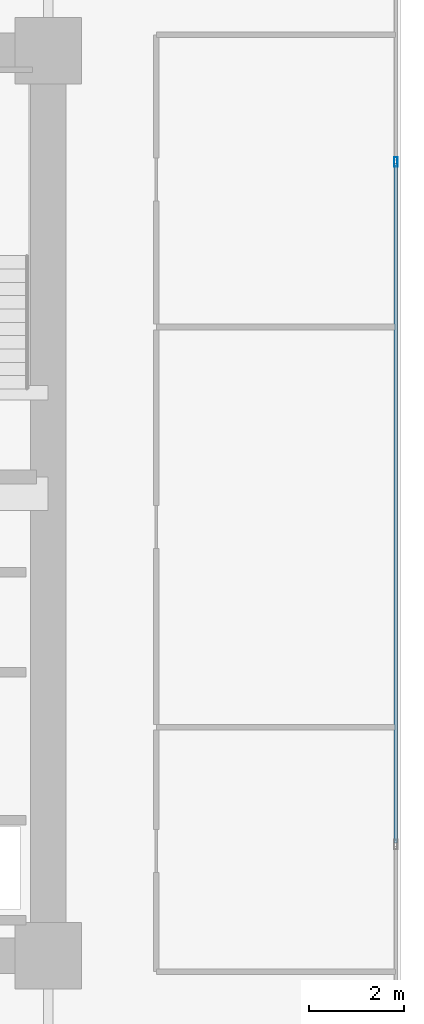
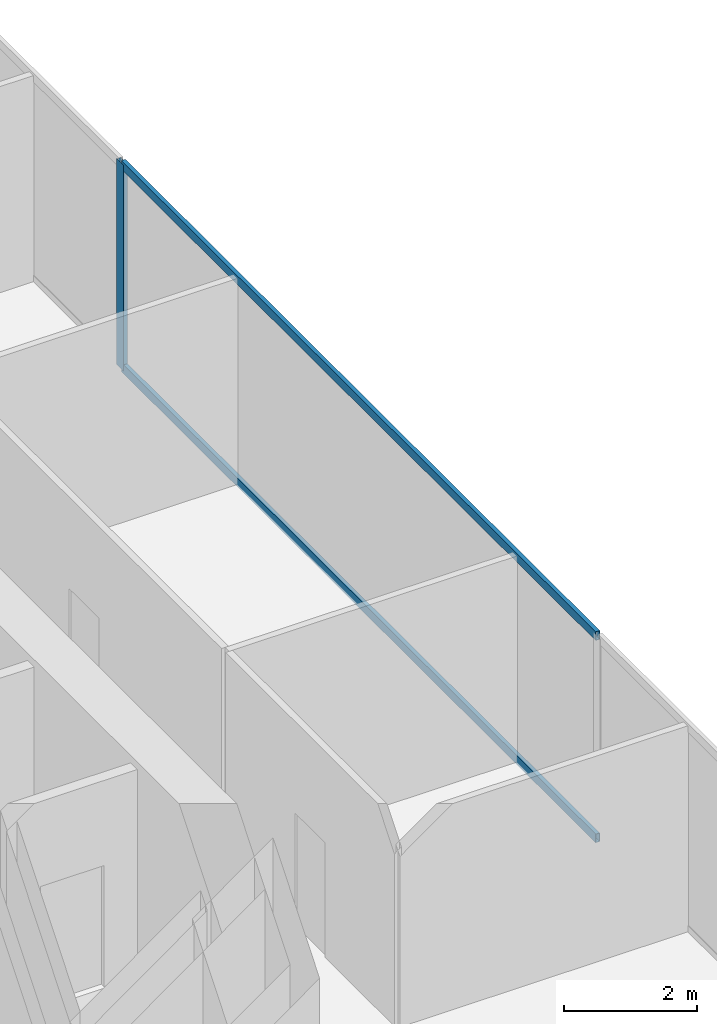
# One storey, part 25 of 35: 3 members, 1 element without a shape of its own.
"""IFC4 building model written with IfcOpenShell, lengths in metres."""

import ifcopenshell
import ifcopenshell.guid

model = None  # the IFC model being written
_history = None  # IfcOwnerHistory: only IFC2X3 demands one
_inside = {}  # id of a spatial element -> (the spatial element, [elements in it])
_under = {}  # id of a project, library or spatial element -> (it, [spatial elements below it])
_declared = {}  # id of a project -> (the project, [libraries it declares])
_typed = {}  # id of a type object -> (the type object, [elements of that type])
_made_of = {}  # id of a material, layer set ... -> (it, [elements and type objects made of it])


def new_model(schema):
    """Start an empty IFC model of exactly this schema.

    Asked for "IFC4X3", IfcOpenShell would pick the latest addendum, in which some entities
    have other attributes; the version numbers below select the first issue.
    IFC2X3 requires an IfcOwnerHistory on every rooted entity: one is made here for all.
    """
    global model, _history
    if schema == "IFC4X3":
        model = ifcopenshell.file(schema_version=(4, 3, 0, 0))
    else:
        model = ifcopenshell.file(schema=schema)
    _inside.clear()
    _under.clear()
    _declared.clear()
    _typed.clear()
    _made_of.clear()
    _history = None
    if model.schema == "IFC2X3":
        org = make("IfcOrganization", Name="unknown")
        user = make(
            "IfcPersonAndOrganization",
            ThePerson=make("IfcPerson", FamilyName="unknown"),
            TheOrganization=org,
        )
        app = make(
            "IfcApplication",
            ApplicationDeveloper=org,
            Version="unknown",
            ApplicationFullName="unknown",
            ApplicationIdentifier="unknown",
        )
        _history = make(
            "IfcOwnerHistory",
            OwningUser=user,
            OwningApplication=app,
            ChangeAction="ADDED",
            CreationDate=0,
        )
    return model


def make(cls, **values):
    """One entity of the class cls with the attributes given. An attribute that is None is left unset."""
    return model.create_entity(
        cls, **{name: value for name, value in values.items() if value is not None}
    )


def rooted(cls, **values):
    """An entity with a GlobalId (a new one), such as an element, a storey or a relation."""
    return make(cls, GlobalId=ifcopenshell.guid.new(), OwnerHistory=_history, **values)


def si_unit(unit_type, name, prefix=None):
    """IfcSIUnit, for example si_unit("LENGTHUNIT", "METRE", prefix="MILLI")."""
    return make("IfcSIUnit", UnitType=unit_type, Prefix=prefix, Name=name)


def assignment(units):
    """IfcUnitAssignment: the units of a project."""
    return None if units is None else make("IfcUnitAssignment", Units=units)


def point(xyz):
    """IfcCartesianPoint."""
    return None if xyz is None else make("IfcCartesianPoint", Coordinates=xyz)


def direction(xyz):
    """IfcDirection."""
    return None if xyz is None else make("IfcDirection", DirectionRatios=xyz)


def frame(location, z_axis=None, x_axis=None):
    """IfcAxis2Placement3D, a coordinate frame: its origin and axes. An axis left out is left unset."""
    return make(
        "IfcAxis2Placement3D",
        Location=point(location),
        Axis=direction(z_axis),
        RefDirection=direction(x_axis),
    )


def frame_2d(location, x_axis=None):
    """IfcAxis2Placement2D, a coordinate frame in the plane: its origin and x axis."""
    return make(
        "IfcAxis2Placement2D", Location=point(location), RefDirection=direction(x_axis)
    )


def origin():
    """The frame at (0, 0, 0) with its axes left unset."""
    return frame((0.0, 0.0, 0.0))


def origin_2d():
    """The frame at (0, 0) in the plane with its x axis left unset."""
    return frame_2d((0.0, 0.0))


def place(relative_to, where):
    """IfcLocalPlacement: puts the frame where relative to a parent placement (None: the world)."""
    return make(
        "IfcLocalPlacement", PlacementRelTo=relative_to, RelativePlacement=where
    )


def context(
    kind, dimensions, precision=None, world=None, true_north=None, identifier=None
):
    """IfcGeometricRepresentationContext, for example the 3D "Model" context."""
    return make(
        "IfcGeometricRepresentationContext",
        ContextIdentifier=identifier,
        ContextType=kind,
        CoordinateSpaceDimension=dimensions,
        Precision=precision,
        WorldCoordinateSystem=world,
        TrueNorth=true_north,
    )


def subcontext(parent, identifier, kind, view, scale=None):
    """IfcGeometricRepresentationSubContext, for example "Body" below "Model"."""
    return make(
        "IfcGeometricRepresentationSubContext",
        ContextIdentifier=identifier,
        ContextType=kind,
        ParentContext=parent,
        TargetScale=scale,
        TargetView=view,
    )


def project(units=None, contexts=None):
    """IfcProject with its units and contexts."""
    return rooted(
        "IfcProject",
        Name="project",
        RepresentationContexts=contexts,
        UnitsInContext=assignment(units),
    )


def spatial(cls, under=None, at=None, **own):
    """A site, building, storey or space (cls), placed at a placement, below another one or the project."""
    s = rooted(cls, ObjectPlacement=at, **own)
    if under is not None:
        _under.setdefault(under.id(), (under, []))[1].append(s)
    return s


def profile(cls, at=None, kind="AREA", **sizes):
    """A parametric profile (cls). Its sizes go by their IFC names, for example OverallWidth=200.0."""
    return make(cls, ProfileType=kind, Position=at, **sizes)


def hollow_rectangle(**sizes):
    """IfcRectangleHollowProfileDef."""
    return profile("IfcRectangleHollowProfileDef", **sizes)


def extrude(swept, where, along, depth):
    """IfcExtrudedAreaSolid: the profile swept, set in the frame where, extruded along a direction by depth."""
    return make(
        "IfcExtrudedAreaSolid",
        SweptArea=swept,
        Position=where,
        ExtrudedDirection=direction(along),
        Depth=depth,
    )


def shape(context_of_items, identifier, shape_type, items):
    """IfcShapeRepresentation: the items that make up one representation, for example the "Body"."""
    return make(
        "IfcShapeRepresentation",
        ContextOfItems=context_of_items,
        RepresentationIdentifier=identifier,
        RepresentationType=shape_type,
        Items=items,
    )


def source(mapping_origin, context_of_items, identifier, shape_type, items):
    """IfcRepresentationMap: a shape defined once, which mapped items show again and again."""
    return make(
        "IfcRepresentationMap",
        MappingOrigin=mapping_origin,
        MappedRepresentation=shape(context_of_items, identifier, shape_type, items),
    )


def transform(
    local_origin,
    x_axis=None,
    y_axis=None,
    z_axis=None,
    scale=None,
    scale2=None,
    scale3=None,
    uniform=True,
):
    """IfcCartesianTransformationOperator3D, or its non-uniform kind. x_axis, y_axis, z_axis: its Axis1, 2, 3."""
    if uniform:
        return make(
            "IfcCartesianTransformationOperator3D",
            Axis1=direction(x_axis),
            Axis2=direction(y_axis),
            LocalOrigin=point(local_origin),
            Scale=scale,
            Axis3=direction(z_axis),
        )
    return make(
        "IfcCartesianTransformationOperator3DnonUniform",
        Axis1=direction(x_axis),
        Axis2=direction(y_axis),
        LocalOrigin=point(local_origin),
        Scale=scale,
        Axis3=direction(z_axis),
        Scale2=scale2,
        Scale3=scale3,
    )


def mapped(mapping_source, mapping_target):
    """IfcMappedItem: shows the shape of a source again, moved by a transform."""
    return make(
        "IfcMappedItem", MappingSource=mapping_source, MappingTarget=mapping_target
    )


def material(Name=None, Category=None):
    """IfcMaterial."""
    return make("IfcMaterial", Name=Name, Category=Category)


def layer(
    of_material, thickness, ventilated=None, Name=None, Category=None, Priority=None
):
    """IfcMaterialLayer: one layer of a wall or slab, of a material (None: an air gap)."""
    return make(
        "IfcMaterialLayer",
        Material=of_material,
        LayerThickness=thickness,
        IsVentilated=ventilated,
        Name=Name,
        Category=Category,
        Priority=Priority,
    )


def layer_set(layers, Name=None):
    """IfcMaterialLayerSet."""
    return make("IfcMaterialLayerSet", MaterialLayers=layers, LayerSetName=Name)


def material_profile(
    of_material, cross_section, Name=None, Category=None, Priority=None
):
    """IfcMaterialProfile: a cross section and its material."""
    return make(
        "IfcMaterialProfile",
        Name=Name,
        Material=of_material,
        Profile=cross_section,
        Priority=Priority,
        Category=Category,
    )


def profile_set(profiles, Name=None, composite=None):
    """IfcMaterialProfileSet."""
    return make(
        "IfcMaterialProfileSet",
        Name=Name,
        MaterialProfiles=profiles,
        CompositeProfile=composite,
    )


def made_of(thing, what):
    """Note that an element or type object is made of a material, layer set ...; save() writes the relation."""
    if what is not None:
        _made_of.setdefault(what.id(), (what, []))[1].append(thing)
    return thing


def type_object(cls, material=None, **own):
    """A type object (cls), such as IfcWallType, which elements share."""
    return made_of(rooted(cls, **own), material)


def type_shapes(of_type, sources):
    """Give a type object the sources (RepresentationMaps) that its elements show as mapped items."""
    of_type.RepresentationMaps = sources


def element(
    cls,
    number,
    at=None,
    inside=None,
    cuts=None,
    type_object=None,
    material=None,
    context=None,
    identifier="Body",
    shape_type=None,
    held_by="IfcProductDefinitionShape",
    body=None,
    shapes=None,
    **own,
):
    """One element of the class cls, such as IfcWall. Its Tag is "e" and its number.

    at: its placement. inside: the storey or other place that contains it. cuts: it is an
    opening in that element (IfcRelVoidsElement). A single representation is given by context,
    identifier, shape_type and body (its items); several are given by shapes. held_by: the class
    of the entity that holds the representations. save() writes the other relations.
    """
    e = rooted(cls, Tag="e%d" % number, ObjectPlacement=at, **own)
    if body is not None:
        shapes = [shape(context, identifier, shape_type, body)]
    if shapes is not None:
        e.Representation = make(held_by, Representations=shapes)
    if inside is not None:
        _inside.setdefault(inside.id(), (inside, []))[1].append(e)
    if cuts is not None:
        rooted(
            "IfcRelVoidsElement", RelatingBuildingElement=cuts, RelatedOpeningElement=e
        )
    if type_object is not None:
        _typed.setdefault(type_object.id(), (type_object, []))[1].append(e)
    return made_of(e, material)


def aggregate(whole, parts):
    """IfcRelAggregates: a whole, such as a stair, and the parts it consists of."""
    return rooted("IfcRelAggregates", RelatingObject=whole, RelatedObjects=parts)


def save(model, path):
    """Write the relations noted so far, then the file.

    IfcRelAggregates (storeys below a building ...), IfcRelContainedInSpatialStructure (elements
    in a storey), IfcRelDefinesByType, IfcRelAssociatesMaterial and IfcRelDeclares: one each for
    every whole, place, type object, material and project.
    """
    for whole, parts in _under.values():
        aggregate(whole, parts)
    for where, things in _inside.values():
        rooted(
            "IfcRelContainedInSpatialStructure",
            RelatedElements=things,
            RelatingStructure=where,
        )
    for kind, things in _typed.values():
        rooted("IfcRelDefinesByType", RelatedObjects=things, RelatingType=kind)
    for what, things in _made_of.values():
        rooted("IfcRelAssociatesMaterial", RelatedObjects=things, RelatingMaterial=what)
    for by, libraries in _declared.values():
        rooted("IfcRelDeclares", RelatingContext=by, RelatedDefinitions=libraries)
    model.write(path)


model = new_model("IFC4")

# Units and contexts
model_context = context("Model", 3, precision=1e-05, world=origin(), true_north=direction((0.0, 1.0)))
body_context = subcontext(model_context, "Body", "Model", "MODEL_VIEW")
ifc_project = project(units=[si_unit("LENGTHUNIT", "METRE"), si_unit("AREAUNIT", "SQUARE_METRE"), si_unit("VOLUMEUNIT", "CUBIC_METRE"), si_unit("PLANEANGLEUNIT", "RADIAN"), si_unit("MASSUNIT", "GRAM", prefix="KILO")], contexts=[model_context])

# Site, building, storey
site_placement = place(None, origin())
site = spatial("IfcSite", under=ifc_project, at=site_placement, CompositionType="ELEMENT")
building_placement = place(site_placement, origin())
building = spatial("IfcBuilding", under=site, at=building_placement, Name="Haelvirn Gate Laboratories", CompositionType="ELEMENT")
storey_placement = place(building_placement, frame((0.0, 0.0, 45.699951171875)))
storey = spatial("IfcBuildingStorey", under=building, at=storey_placement, Name="L11", CompositionType="ELEMENT", Elevation=45.699951171875)

# Curtain wall, members
ifc_material_1 = material(Name="Anodised bronze unitised aluminium & triple low-E glass", Category="aluminium")
ifc_layer = layer(ifc_material_1, 0.18408203125, Name="CW-SYS-2")
ifc_layer_set = layer_set([ifc_layer], Name="Anodised bronze unitised aluminium & triple low-E glass")
curtain_wall_type = type_object("IfcCurtainWallType", Name="CW-SYS-2", PredefinedType="NOTDEFINED", material=ifc_layer_set)
curtain_wall_placement = place(storey_placement, origin())
curtain_wall = element("IfcCurtainWall", 1, at=curtain_wall_placement, inside=storey, type_object=curtain_wall_type, Name="L11 Unitised Curtain Wall CW-L11-P0-E07", PredefinedType="NOTDEFINED")
ifc_material_2 = material(Name="Extruded aluminium 6063-T6 (anodised bronze)", Category="aluminium")
ifc_material_profile_1 = material_profile(ifc_material_2, hollow_rectangle(XDim=0.074951171875, YDim=0.199951171875, WallThickness=0.0048828125, at=origin_2d()), Name="CWM-200x75x5")
ifc_profile_set_1 = profile_set([ifc_material_profile_1], Name="Extruded aluminium 6063-T6 (anodised bronze)")
member_type_1 = type_object("IfcMemberType", Name="CWM-T200", PredefinedType="MULLION", material=ifc_profile_set_1)
shared_shape_1 = source(origin(), body_context, "Body", "SweptSolid", [
    extrude(hollow_rectangle(XDim=0.074951171875, YDim=0.199951171875, WallThickness=0.0048828125, at=origin_2d()), origin(), (0.0, 0.0, 1.0), 3.780029296875),
])
type_shapes(member_type_1, [shared_shape_1])
member_1_placement = place(storey_placement, frame((74.699951171875, 31.466552734375, 0.0), z_axis=(0.0, 0.0, 1.0), x_axis=(-1.0, 0.0, 0.0)))
member_1 = element("IfcMember", 2, at=member_1_placement, type_object=member_type_1, Name="CW2 mullion 3", PredefinedType="MULLION", context=body_context, shape_type="MappedRepresentation", body=[
    mapped(shared_shape_1, transform((0.0, 0.0, 0.0), scale=1.0)),
])
ifc_material_profile_2 = material_profile(ifc_material_2, hollow_rectangle(XDim=0.070068359375, YDim=0.159912109375, WallThickness=0.0048828125, at=origin_2d()), Name="CWT-160x70x5")
ifc_profile_set_2 = profile_set([ifc_material_profile_2], Name="Extruded aluminium 6063-T6 (anodised bronze)")
member_type_2 = type_object("IfcMemberType", Name="CWT-T160", PredefinedType="USERDEFINED", material=ifc_profile_set_2)
shared_shape_2 = source(origin(), body_context, "Body", "SweptSolid", [
    extrude(hollow_rectangle(XDim=0.070068359375, YDim=0.159912109375, WallThickness=0.0048828125, at=origin_2d()), origin(), (0.0, 0.0, 1.0), 14.25830078125),
])
type_shapes(member_type_2, [shared_shape_2])
member_2_placement = place(storey_placement, frame((74.699951171875, 17.1708984375, 0.03515625), z_axis=(0.0, 1.0, 0.0), x_axis=(-1.0, 0.0, 0.0)))
member_2 = element("IfcMember", 3, at=member_2_placement, type_object=member_type_2, Name="CW2 transom 2.1", ObjectType="TRANSOM", PredefinedType="USERDEFINED", context=body_context, shape_type="MappedRepresentation", body=[
    mapped(shared_shape_2, transform((0.0, 0.0, 0.0), scale=1.0)),
])
member_3_placement = place(storey_placement, frame((74.699951171875, 17.1708984375, 3.7451171875), z_axis=(0.0, 1.0, 0.0), x_axis=(-1.0, 0.0, 0.0)))
member_3 = element("IfcMember", 4, at=member_3_placement, type_object=member_type_2, Name="CW2 transom 2.2", ObjectType="TRANSOM", PredefinedType="USERDEFINED", context=body_context, shape_type="MappedRepresentation", body=[
    mapped(shared_shape_2, transform((0.0, 0.0, 0.0), scale=1.0)),
])
aggregate(curtain_wall, [member_1, member_2, member_3])

save(model, "model.ifc")
